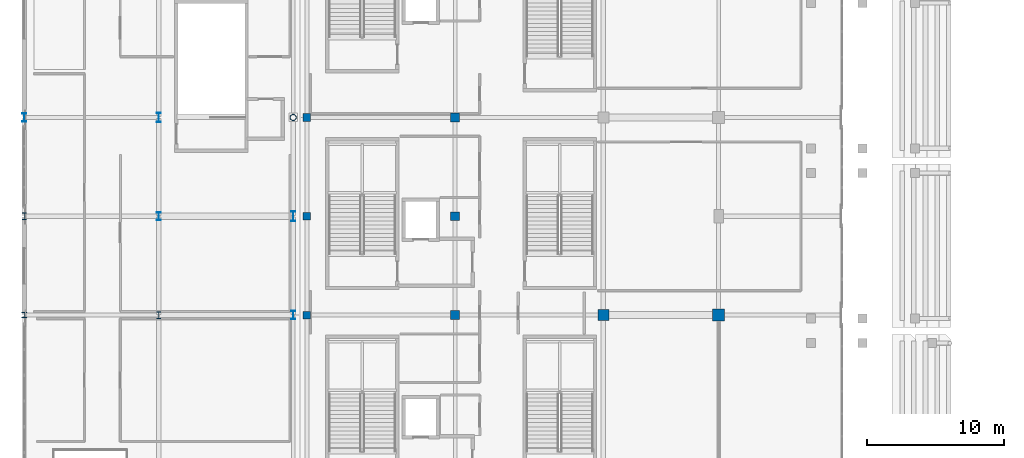
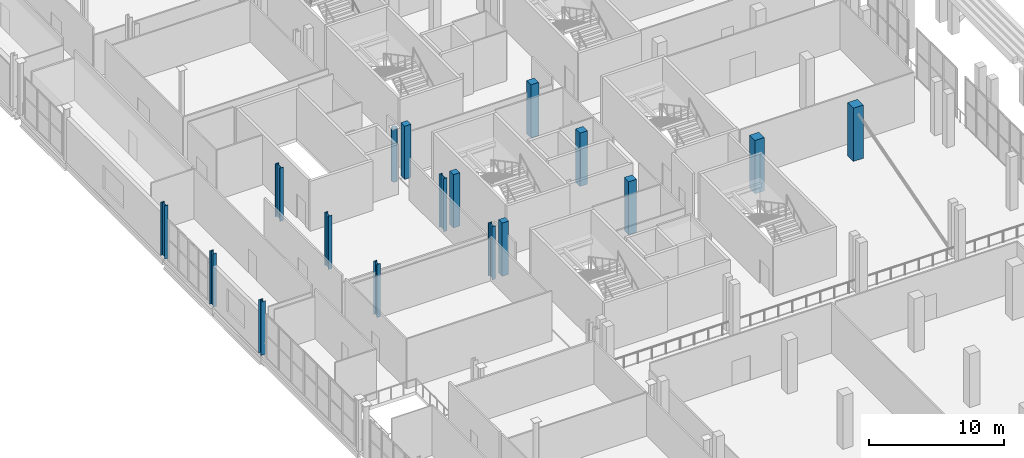
# One storey, part 3 of 142: 17 columns.
"""IFC4 building model written with IfcOpenShell, lengths in metres."""

from ifc_helpers import new_model, si_unit, direction, frame, origin, origin_2d, place, context, subcontext, project, spatial, rectangle, hollow_circle, i_section, extrude, material, material_profile, profile_set, type_object, element, save


model = new_model("IFC4")

# Units and contexts
model_context = context("Model", 3, precision=1e-05, world=origin(), true_north=direction((0.0, 1.0)))
body_context = subcontext(model_context, "Body", "Model", "MODEL_VIEW")
ifc_project = project(units=[si_unit("LENGTHUNIT", "METRE"), si_unit("AREAUNIT", "SQUARE_METRE"), si_unit("VOLUMEUNIT", "CUBIC_METRE"), si_unit("PLANEANGLEUNIT", "RADIAN"), si_unit("MASSUNIT", "GRAM", prefix="KILO")], contexts=[model_context])

# Site, building, storey
site_placement = place(None, origin())
site = spatial("IfcSite", under=ifc_project, at=site_placement, CompositionType="ELEMENT")
building_placement = place(site_placement, origin())
building = spatial("IfcBuilding", under=site, at=building_placement, Name="Koshinbarg Plaza Stadium", CompositionType="ELEMENT")
storey_placement = place(building_placement, frame((0.0, 0.0, 10.199951171875)))
storey = spatial("IfcBuildingStorey", under=building, at=storey_placement, Name="L02", CompositionType="ELEMENT", Elevation=10.199951171875)

# Columns
ifc_material_1 = material(Name="Concrete C40/50", Category="concrete")
ifc_material_profile_1 = material_profile(ifc_material_1, rectangle(XDim=0.550048828125, YDim=0.550048828125, at=origin_2d()), Name="RC 550x550")
ifc_profile_set_1 = profile_set([ifc_material_profile_1], Name="Concrete C40/50")
column_type_1 = type_object("IfcColumnType", Name="COL-RC-03", PredefinedType="COLUMN", material=ifc_profile_set_1)
for number, where, z_axis, x_axis, name in (
    (1, (24.60009765625, 39.89990234375, 0.0), (0.0, 0.0, 1.0), (1.0, 0.0, 0.0), "L02 column 5/F"),
    (2, (24.60009765625, 47.10009765625, 0.0), (0.0, 0.0, 1.0), (1.0, 0.0, 0.0), "L02 column 5/G"),
    (3, (24.60009765625, 54.300048828125, 0.0), (0.0, 0.0, 1.0), (1.0, 0.0, 0.0), "L02 column 5/H"),
):
    element("IfcColumn", number, at=place(storey_placement, frame(where, z_axis=z_axis, x_axis=x_axis)), inside=storey, type_object=column_type_1, Name=name, PredefinedType="COLUMN", context=body_context, shape_type="SweptSolid", body=[
        extrude(rectangle(XDim=0.550048828125, YDim=0.550048828125, at=origin_2d()), origin(), (0.0, 0.0, 1.0), 4.800048828125),
    ])
ifc_material_profile_2 = material_profile(ifc_material_1, rectangle(XDim=0.64990234375, YDim=0.64990234375, at=origin_2d()), Name="RC 650x650")
ifc_profile_set_2 = profile_set([ifc_material_profile_2], Name="Concrete C40/50")
column_type_2 = type_object("IfcColumnType", Name="COL-RC-05", PredefinedType="COLUMN", material=ifc_profile_set_2)
for number, where, z_axis, x_axis, name in (
    (4, (35.39990234375, 39.89990234375, 0.0), (0.0, 0.0, 1.0), (1.0, 0.0, 0.0), "L02 column 6/F"),
    (5, (35.39990234375, 47.10009765625, 0.0), (0.0, 0.0, 1.0), (1.0, 0.0, 0.0), "L02 column 6/G"),
    (6, (35.39990234375, 54.300048828125, 0.0), (0.0, 0.0, 1.0), (1.0, 0.0, 0.0), "L02 column 6/H"),
):
    element("IfcColumn", number, at=place(storey_placement, frame(where, z_axis=z_axis, x_axis=x_axis)), inside=storey, type_object=column_type_2, Name=name, PredefinedType="COLUMN", context=body_context, shape_type="SweptSolid", body=[
        extrude(rectangle(XDim=0.64990234375, YDim=0.64990234375, at=origin_2d()), origin(), (0.0, 0.0, 1.0), 4.800048828125),
    ])
ifc_material_profile_3 = material_profile(ifc_material_1, rectangle(XDim=0.800048828125, YDim=0.800048828125, at=origin_2d()), Name="RC 800x800")
ifc_profile_set_3 = profile_set([ifc_material_profile_3], Name="Concrete C40/50")
column_type_3 = type_object("IfcColumnType", Name="COL-RC-08", PredefinedType="COLUMN", material=ifc_profile_set_3)
column_1_placement = place(storey_placement, frame((46.199951171875, 39.89990234375, 0.0), z_axis=(0.0, 0.0, 1.0), x_axis=(1.0, 0.0, 0.0)))
element("IfcColumn", 7, at=column_1_placement, inside=storey, type_object=column_type_3, Name="L02 column 7/F", PredefinedType="COLUMN", context=body_context, shape_type="SweptSolid", body=[
    extrude(rectangle(XDim=0.800048828125, YDim=0.800048828125, at=origin_2d()), origin(), (0.0, 0.0, 1.0), 4.800048828125),
])
ifc_material_profile_4 = material_profile(ifc_material_1, rectangle(XDim=0.85009765625, YDim=0.85009765625, at=origin_2d()), Name="RC 850x850")
ifc_profile_set_4 = profile_set([ifc_material_profile_4], Name="Concrete C40/50")
column_type_4 = type_object("IfcColumnType", Name="COL-RC-09", PredefinedType="COLUMN", material=ifc_profile_set_4)
column_2_placement = place(storey_placement, frame((54.60009765625, 39.89990234375, 0.0), z_axis=(0.0, 0.0, 1.0), x_axis=(1.0, 0.0, 0.0)))
element("IfcColumn", 8, at=column_2_placement, inside=storey, type_object=column_type_4, Name="L02 column 8/F", PredefinedType="COLUMN", context=body_context, shape_type="SweptSolid", body=[
    extrude(rectangle(XDim=0.85009765625, YDim=0.85009765625, at=origin_2d()), origin(), (0.0, 0.0, 1.0), 4.800048828125),
])
ifc_material_2 = material(Name="Steel S355", Category="steel")
ifc_material_profile_5 = material_profile(ifc_material_2, i_section(OverallWidth=0.39501953125, OverallDepth=0.3798828125, WebThickness=0.018798828125, FlangeThickness=0.0302734375, at=origin_2d()), Name="HD 400x237")
ifc_profile_set_5 = profile_set([ifc_material_profile_5], Name="Steel S355")
column_type_5 = type_object("IfcColumnType", Name="COL-STL-01", PredefinedType="COLUMN", material=ifc_profile_set_5)
column_3_placement = place(storey_placement, frame((4.0, 39.89990234375, 0.0), z_axis=(0.0, 0.0, 1.0), x_axis=(1.0, 0.0, 0.0)))
element("IfcColumn", 9, at=column_3_placement, inside=storey, type_object=column_type_5, Name="L02 column 2/F", PredefinedType="COLUMN", context=body_context, shape_type="SweptSolid", body=[
    extrude(i_section(OverallWidth=0.39501953125, OverallDepth=0.3798828125, WebThickness=0.018798828125, FlangeThickness=0.0302734375, at=origin_2d()), origin(), (0.0, 0.0, 1.0), 4.800048828125),
])
ifc_material_profile_6 = material_profile(ifc_material_2, i_section(OverallWidth=0.300048828125, OverallDepth=0.5, WebThickness=0.014404296875, FlangeThickness=0.028076171875, at=origin_2d()), Name="HEB 500")
ifc_profile_set_6 = profile_set([ifc_material_profile_6], Name="Steel S355")
column_type_6 = type_object("IfcColumnType", Name="COL-STL-02", PredefinedType="COLUMN", material=ifc_profile_set_6)
for number, where, z_axis, x_axis, name in (
    (10, (4.0, 47.10009765625, 0.0), (0.0, 0.0, 1.0), (1.0, 0.0, 0.0), "L02 column 2/G"),
    (11, (13.800048828125, 39.89990234375, 0.0), (0.0, 0.0, 1.0), (1.0, 0.0, 0.0), "L02 column 3/F"),
):
    element("IfcColumn", number, at=place(storey_placement, frame(where, z_axis=z_axis, x_axis=x_axis)), inside=storey, type_object=column_type_6, Name=name, PredefinedType="COLUMN", context=body_context, shape_type="SweptSolid", body=[
        extrude(i_section(OverallWidth=0.300048828125, OverallDepth=0.5, WebThickness=0.014404296875, FlangeThickness=0.028076171875, at=origin_2d()), origin(), (0.0, 0.0, 1.0), 4.800048828125),
    ])
ifc_material_profile_7 = material_profile(ifc_material_2, i_section(OverallWidth=0.300048828125, OverallDepth=0.60009765625, WebThickness=0.015380859375, FlangeThickness=0.030029296875, at=origin_2d()), Name="HEB 600")
ifc_profile_set_7 = profile_set([ifc_material_profile_7], Name="Steel S355")
column_type_7 = type_object("IfcColumnType", Name="COL-STL-03", PredefinedType="COLUMN", material=ifc_profile_set_7)
for number, where, z_axis, x_axis, name in (
    (12, (4.0, 54.300048828125, 0.0), (0.0, 0.0, 1.0), (1.0, 0.0, 0.0), "L02 column 2/H"),
    (13, (13.800048828125, 47.10009765625, 0.0), (0.0, 0.0, 1.0), (1.0, 0.0, 0.0), "L02 column 3/G"),
    (14, (23.60009765625, 39.89990234375, 0.0), (0.0, 0.0, 1.0), (1.0, 0.0, 0.0), "L02 column 4/F"),
):
    element("IfcColumn", number, at=place(storey_placement, frame(where, z_axis=z_axis, x_axis=x_axis)), inside=storey, type_object=column_type_7, Name=name, PredefinedType="COLUMN", context=body_context, shape_type="SweptSolid", body=[
        extrude(i_section(OverallWidth=0.300048828125, OverallDepth=0.60009765625, WebThickness=0.015380859375, FlangeThickness=0.030029296875, at=origin_2d()), origin(), (0.0, 0.0, 1.0), 4.800048828125),
    ])
ifc_material_profile_8 = material_profile(ifc_material_2, i_section(OverallWidth=0.300048828125, OverallDepth=0.699951171875, WebThickness=0.01708984375, FlangeThickness=0.031982421875, at=origin_2d()), Name="HEB 700")
ifc_profile_set_8 = profile_set([ifc_material_profile_8], Name="Steel S355")
column_type_8 = type_object("IfcColumnType", Name="COL-STL-04", PredefinedType="COLUMN", material=ifc_profile_set_8)
for number, where, z_axis, x_axis, name in (
    (15, (13.800048828125, 54.300048828125, 0.0), (0.0, 0.0, 1.0), (1.0, 0.0, 0.0), "L02 column 3/H"),
    (16, (23.60009765625, 47.10009765625, 0.0), (0.0, 0.0, 1.0), (1.0, 0.0, 0.0), "L02 column 4/G"),
):
    element("IfcColumn", number, at=place(storey_placement, frame(where, z_axis=z_axis, x_axis=x_axis)), inside=storey, type_object=column_type_8, Name=name, PredefinedType="COLUMN", context=body_context, shape_type="SweptSolid", body=[
        extrude(i_section(OverallWidth=0.300048828125, OverallDepth=0.699951171875, WebThickness=0.01708984375, FlangeThickness=0.031982421875, at=origin_2d()), origin(), (0.0, 0.0, 1.0), 4.800048828125),
    ])
ifc_material_profile_9 = material_profile(ifc_material_2, hollow_circle(Radius=0.228515625, WallThickness=0.02001953125, at=origin_2d()), Name="CHS 457x20")
ifc_profile_set_9 = profile_set([ifc_material_profile_9], Name="Steel S355")
column_type_9 = type_object("IfcColumnType", Name="COL-STL-05", PredefinedType="COLUMN", material=ifc_profile_set_9)
column_4_placement = place(storey_placement, frame((23.60009765625, 54.300048828125, 0.0), z_axis=(0.0, 0.0, 1.0), x_axis=(1.0, 0.0, 0.0)))
element("IfcColumn", 17, at=column_4_placement, inside=storey, type_object=column_type_9, Name="L02 column 4/H", PredefinedType="COLUMN", context=body_context, shape_type="SweptSolid", body=[
    extrude(hollow_circle(Radius=0.228515625, WallThickness=0.02001953125, at=origin_2d()), origin(), (0.0, 0.0, 1.0), 4.800048828125),
])

save(model, "model.ifc")
